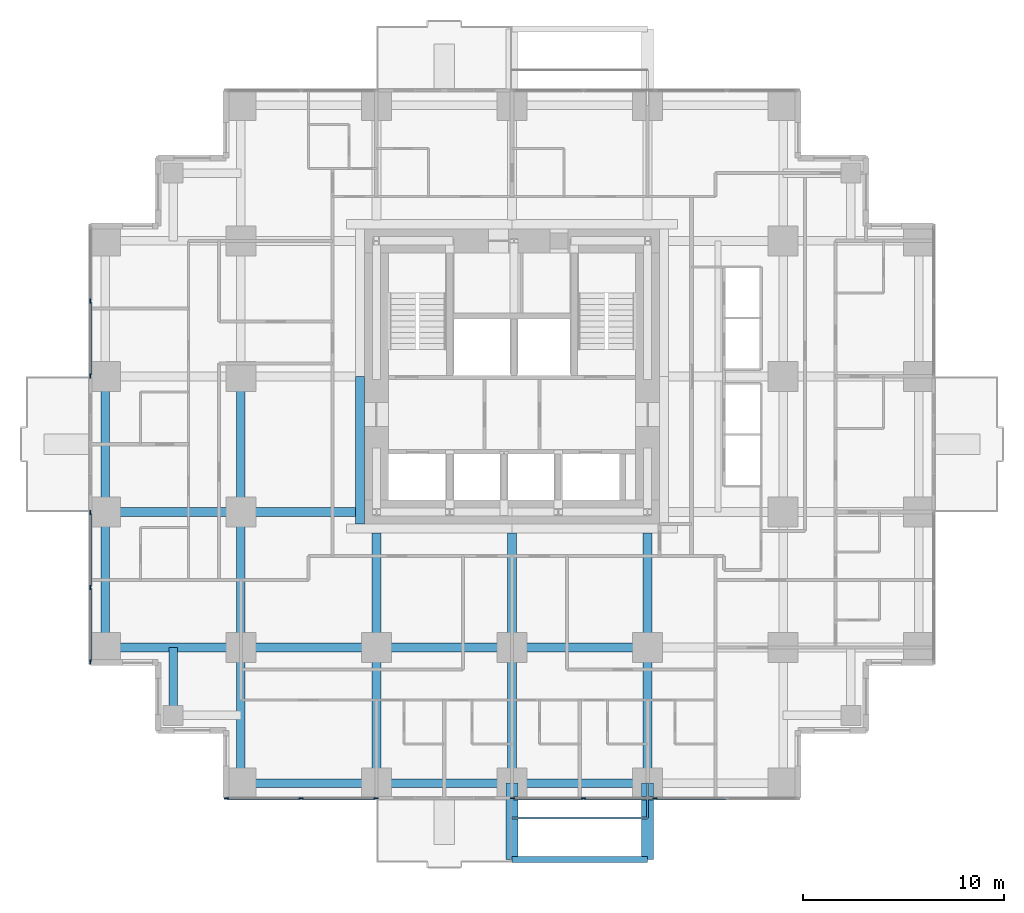
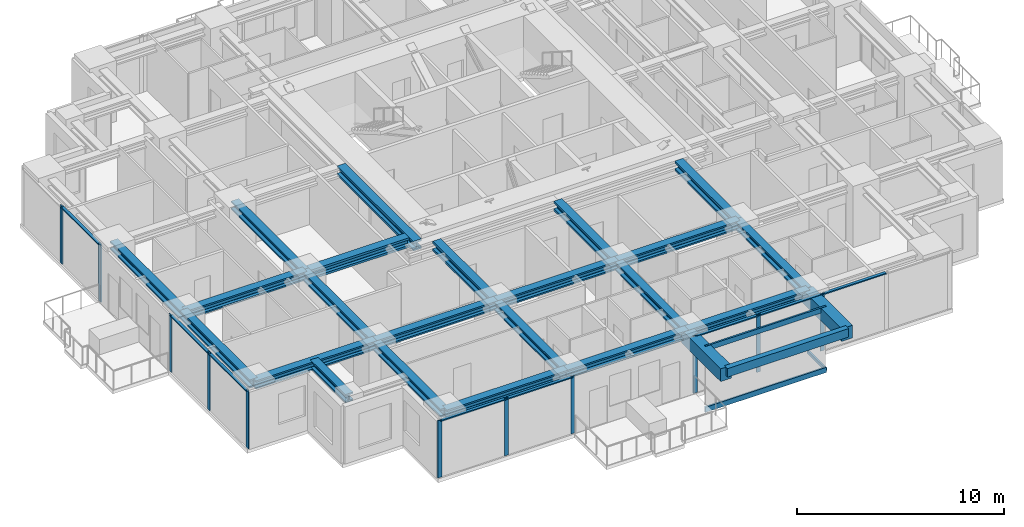
# One storey, part 2 of 13: 25 beams, 22 members, 4 elements without a shape of their own.
"""IFC4 building model written with IfcOpenShell, lengths in metres."""

from ifc_helpers import new_model, si_unit, direction, frame, origin, origin_2d, place, context, subcontext, project, spatial, rectangle, hollow_rectangle, i_section, extrude, material, material_profile, profile_set, type_object, element, aggregate, save


model = new_model("IFC4")

# Units and contexts
model_context = context("Model", 3, precision=1e-05, world=origin(), true_north=direction((0.0, 1.0)))
body_context = subcontext(model_context, "Body", "Model", "MODEL_VIEW")
ifc_project = project(units=[si_unit("LENGTHUNIT", "METRE"), si_unit("AREAUNIT", "SQUARE_METRE"), si_unit("VOLUMEUNIT", "CUBIC_METRE"), si_unit("PLANEANGLEUNIT", "RADIAN"), si_unit("MASSUNIT", "GRAM", prefix="KILO")], contexts=[model_context])

# Site, building, storey
site_placement = place(None, origin())
site = spatial("IfcSite", under=ifc_project, at=site_placement, CompositionType="ELEMENT")
building_placement = place(site_placement, origin())
building = spatial("IfcBuilding", under=site, at=building_placement, Name="Nyansa Garden Tower", CompositionType="ELEMENT")
storey_placement = place(building_placement, frame((0.0, 0.0, 123.300048828125)))
storey = spatial("IfcBuildingStorey", under=building, at=storey_placement, Name="L33", CompositionType="ELEMENT", Elevation=123.300048828125)

# Beams
ifc_material_1 = material(Name="Concrete C70/85", Category="concrete")
ifc_material_profile_1 = material_profile(ifc_material_1, rectangle(XDim=0.60009765625, YDim=0.75, at=origin_2d()), Name="RC 600x750")
ifc_profile_set_1 = profile_set([ifc_material_profile_1], Name="Concrete C70/85")
beam_type_1 = type_object("IfcBeamType", Name="Balcony cantilever beam CB1 RC 600x750", PredefinedType="BEAM", material=ifc_profile_set_1)
for number, where, z_axis, x_axis, name in (
    (1, (20.25, 0.0, 2.98486328125), (0.0, -1.0, 0.0), (1.0, 0.0, 0.0), "Balcony cantilever beam L34"),
    (2, (27.0, 0.0, 2.98486328125), (0.0, -1.0, 0.0), (1.0, 0.0, 0.0), "Balcony cantilever beam L34"),
):
    element("IfcBeam", number, at=place(storey_placement, frame(where, z_axis=z_axis, x_axis=x_axis)), inside=storey, type_object=beam_type_1, Name=name, PredefinedType="BEAM", context=body_context, shape_type="SweptSolid", body=[
        extrude(rectangle(XDim=0.60009765625, YDim=0.75, at=origin_2d()), origin(), (0.0, 0.0, 1.0), 3.800048828125),
    ])
ifc_material_2 = material(Name="Concrete C70/85", Category="concrete")
ifc_material_profile_2 = material_profile(ifc_material_2, rectangle(XDim=0.300048828125, YDim=0.5, at=origin_2d()), Name="RC 300x500")
ifc_profile_set_2 = profile_set([ifc_material_profile_2], Name="Concrete C70/85")
beam_type_2 = type_object("IfcBeamType", Name="Balcony edge beam BE1 RC 300x500", PredefinedType="BEAM", material=ifc_profile_set_2)
beam_1_placement = place(storey_placement, frame((20.25, -3.800048828125, 3.10986328125), z_axis=(1.0, 0.0, 0.0), x_axis=(0.0, 1.0, 0.0)))
element("IfcBeam", 3, at=beam_1_placement, inside=storey, type_object=beam_type_2, Name="Balcony edge beam L34", PredefinedType="BEAM", context=body_context, shape_type="SweptSolid", body=[
    extrude(rectangle(XDim=0.300048828125, YDim=0.5, at=origin_2d()), origin(), (0.0, 0.0, 1.0), 6.75),
])

# Curtain wall, members
ifc_material_3 = material(Name="Black anodised aluminium, dark tinted double glazing", Category="aluminium")
curtain_wall_type = type_object("IfcCurtainWallType", Name="Inner skin curtain wall ISW-B", PredefinedType="USERDEFINED", material=ifc_material_3)
curtain_wall_1_placement = place(storey_placement, origin())
curtain_wall_1 = element("IfcCurtainWall", 4, at=curtain_wall_1_placement, inside=storey, type_object=curtain_wall_type, Name="Inner skin curtain wall L33 W", ObjectType="UNITISED CURTAIN WALL", PredefinedType="USERDEFINED")
ifc_material_4 = material(Name="Black anodised aluminium", Category="aluminium")
ifc_material_profile_3 = material_profile(ifc_material_4, rectangle(XDim=0.06494140625, YDim=0.22509765625, at=origin_2d()), Name="Mullion 225x65")
ifc_profile_set_3 = profile_set([ifc_material_profile_3], Name="Black anodised aluminium")
member_type_1 = type_object("IfcMemberType", Name="Mullion ISW-B 225x65", PredefinedType="MULLION", material=ifc_profile_set_3)
member_1_placement = place(storey_placement, frame((-0.75, 13.467529296875, 0.0), z_axis=(0.0, 0.0, 1.0), x_axis=(1.0, 0.0, 0.0)))
member_1 = element("IfcMember", 5, at=member_1_placement, type_object=member_type_1, Name="ISW-B mullion 1", PredefinedType="MULLION", context=body_context, shape_type="SweptSolid", body=[
    extrude(rectangle(XDim=0.06494140625, YDim=0.22509765625, at=origin_2d()), origin(), (0.0, 0.0, 1.0), 3.375),
])
member_2_placement = place(storey_placement, frame((-0.75, 9.75, 0.0), z_axis=(0.0, 0.0, 1.0), x_axis=(1.0, 0.0, 0.0)))
member_2 = element("IfcMember", 6, at=member_2_placement, type_object=member_type_1, Name="ISW-B mullion 2", PredefinedType="MULLION", context=body_context, shape_type="SweptSolid", body=[
    extrude(rectangle(XDim=0.06494140625, YDim=0.22509765625, at=origin_2d()), origin(), (0.0, 0.0, 1.0), 3.375),
])
member_3_placement = place(storey_placement, frame((-0.75, 6.032470703125, 0.0), z_axis=(0.0, 0.0, 1.0), x_axis=(1.0, 0.0, 0.0)))
member_3 = element("IfcMember", 7, at=member_3_placement, type_object=member_type_1, Name="ISW-B mullion 3", PredefinedType="MULLION", context=body_context, shape_type="SweptSolid", body=[
    extrude(rectangle(XDim=0.06494140625, YDim=0.22509765625, at=origin_2d()), origin(), (0.0, 0.0, 1.0), 3.375),
])

curtain_wall_2_placement = place(storey_placement, origin())
curtain_wall_2 = element("IfcCurtainWall", 8, at=curtain_wall_2_placement, inside=storey, type_object=curtain_wall_type, Name="Inner skin curtain wall L33 W", ObjectType="UNITISED CURTAIN WALL", PredefinedType="USERDEFINED")
member_4_placement = place(storey_placement, frame((-0.75, 24.0, 0.0), z_axis=(0.0, 0.0, 1.0), x_axis=(1.0, 0.0, 0.0)))
member_4 = element("IfcMember", 9, at=member_4_placement, type_object=member_type_1, Name="ISW-B mullion 2", PredefinedType="MULLION", context=body_context, shape_type="SweptSolid", body=[
    extrude(rectangle(XDim=0.06494140625, YDim=0.22509765625, at=origin_2d()), origin(), (0.0, 0.0, 1.0), 3.375),
])
member_5_placement = place(storey_placement, frame((-0.75, 20.282470703125, 0.0), z_axis=(0.0, 0.0, 1.0), x_axis=(1.0, 0.0, 0.0)))
member_5 = element("IfcMember", 10, at=member_5_placement, type_object=member_type_1, Name="ISW-B mullion 3", PredefinedType="MULLION", context=body_context, shape_type="SweptSolid", body=[
    extrude(rectangle(XDim=0.06494140625, YDim=0.22509765625, at=origin_2d()), origin(), (0.0, 0.0, 1.0), 3.375),
])

curtain_wall_3_placement = place(storey_placement, origin())
curtain_wall_3 = element("IfcCurtainWall", 11, at=curtain_wall_3_placement, inside=storey, type_object=curtain_wall_type, Name="Inner skin curtain wall L33 S", ObjectType="UNITISED CURTAIN WALL", PredefinedType="USERDEFINED")
member_6_placement = place(storey_placement, frame((6.032470703125, -0.75, 0.0), z_axis=(0.0, 0.0, 1.0), x_axis=(0.0, 1.0, 0.0)))
member_6 = element("IfcMember", 12, at=member_6_placement, type_object=member_type_1, Name="ISW-B mullion 1", PredefinedType="MULLION", context=body_context, shape_type="SweptSolid", body=[
    extrude(rectangle(XDim=0.06494140625, YDim=0.22509765625, at=origin_2d()), origin(), (0.0, 0.0, 1.0), 3.375),
])
member_7_placement = place(storey_placement, frame((9.75, -0.75, 0.0), z_axis=(0.0, 0.0, 1.0), x_axis=(0.0, 1.0, 0.0)))
member_7 = element("IfcMember", 13, at=member_7_placement, type_object=member_type_1, Name="ISW-B mullion 2", PredefinedType="MULLION", context=body_context, shape_type="SweptSolid", body=[
    extrude(rectangle(XDim=0.06494140625, YDim=0.22509765625, at=origin_2d()), origin(), (0.0, 0.0, 1.0), 3.375),
])
member_8_placement = place(storey_placement, frame((13.467529296875, -0.75, 0.0), z_axis=(0.0, 0.0, 1.0), x_axis=(0.0, 1.0, 0.0)))
member_8 = element("IfcMember", 14, at=member_8_placement, type_object=member_type_1, Name="ISW-B mullion 3", PredefinedType="MULLION", context=body_context, shape_type="SweptSolid", body=[
    extrude(rectangle(XDim=0.06494140625, YDim=0.22509765625, at=origin_2d()), origin(), (0.0, 0.0, 1.0), 3.375),
])

curtain_wall_4_placement = place(storey_placement, origin())
curtain_wall_4 = element("IfcCurtainWall", 15, at=curtain_wall_4_placement, inside=storey, type_object=curtain_wall_type, Name="Inner skin curtain wall L33 S", ObjectType="UNITISED CURTAIN WALL", PredefinedType="USERDEFINED")
member_9_placement = place(storey_placement, frame((20.282470703125, -0.75, 0.0), z_axis=(0.0, 0.0, 1.0), x_axis=(0.0, 1.0, 0.0)))
member_9 = element("IfcMember", 16, at=member_9_placement, type_object=member_type_1, Name="ISW-B mullion 1", PredefinedType="MULLION", context=body_context, shape_type="SweptSolid", body=[
    extrude(rectangle(XDim=0.06494140625, YDim=0.22509765625, at=origin_2d()), origin(), (0.0, 0.0, 1.0), 3.375),
])
member_10_placement = place(storey_placement, frame((23.8125, -0.75, 0.0), z_axis=(0.0, 0.0, 1.0), x_axis=(0.0, 1.0, 0.0)))
member_10 = element("IfcMember", 17, at=member_10_placement, type_object=member_type_1, Name="ISW-B mullion 2", PredefinedType="MULLION", context=body_context, shape_type="SweptSolid", body=[
    extrude(rectangle(XDim=0.06494140625, YDim=0.22509765625, at=origin_2d()), origin(), (0.0, 0.0, 1.0), 3.375),
])
member_11_placement = place(storey_placement, frame((27.375, -0.75, 0.0), z_axis=(0.0, 0.0, 1.0), x_axis=(0.0, 1.0, 0.0)))
member_11 = element("IfcMember", 18, at=member_11_placement, type_object=member_type_1, Name="ISW-B mullion 3", PredefinedType="MULLION", context=body_context, shape_type="SweptSolid", body=[
    extrude(rectangle(XDim=0.06494140625, YDim=0.22509765625, at=origin_2d()), origin(), (0.0, 0.0, 1.0), 3.375),
])

# Members
ifc_material_5 = material(Name="Steel S355, black powder coated", Category="steel")
ifc_material_profile_4 = material_profile(ifc_material_5, hollow_rectangle(XDim=0.10009765625, YDim=0.199951171875, WallThickness=0.008056640625, at=origin_2d()), Name="RHS 200x100x8")
ifc_profile_set_4 = profile_set([ifc_material_profile_4], Name="Steel S355, black powder coated")
member_type_2 = type_object("IfcMemberType", Name="Outer skin bracket arm RHS 200x100x8", PredefinedType="USERDEFINED", material=ifc_profile_set_4)
member_12_placement = place(storey_placement, frame((27.0, 0.0, -0.375), z_axis=(0.0, -1.0, 0.0), x_axis=(1.0, 0.0, 0.0)))
element("IfcMember", 19, at=member_12_placement, inside=storey, type_object=member_type_2, Name="Outer skin bracket arm", ObjectType="OUTER SKIN BRACKET", PredefinedType="USERDEFINED", context=body_context, shape_type="SweptSolid", body=[
    extrude(hollow_rectangle(XDim=0.10009765625, YDim=0.199951171875, WallThickness=0.008056640625, at=origin_2d()), origin(), (0.0, 0.0, 1.0), 1.75),
])
ifc_material_6 = material(Name="Steel S355, black powder coated", Category="steel")
ifc_material_profile_5 = material_profile(ifc_material_6, hollow_rectangle(XDim=0.10009765625, YDim=0.300048828125, WallThickness=0.010009765625, at=origin_2d()), Name="RHS 300x100x10")
ifc_profile_set_5 = profile_set([ifc_material_profile_5], Name="Steel S355, black powder coated")
member_type_3 = type_object("IfcMemberType", Name="Outer skin rail RHS 300x100x10", PredefinedType="USERDEFINED", material=ifc_profile_set_5)
for number, where, z_axis, x_axis, name in (
    (20, (20.25, -1.75, -0.375), (1.0, 0.0, 0.0), (0.0, 1.0, 0.0), "Outer skin rail L33"),
    (21, (20.25, -1.75, 3.224853515625), (1.0, 0.0, 0.0), (0.0, 1.0, 0.0), "Outer skin rail L33 head"),
):
    element("IfcMember", number, at=place(storey_placement, frame(where, z_axis=z_axis, x_axis=x_axis)), inside=storey, type_object=member_type_3, Name=name, ObjectType="OUTER SKIN RAIL", PredefinedType="USERDEFINED", context=body_context, shape_type="SweptSolid", body=[
        extrude(hollow_rectangle(XDim=0.10009765625, YDim=0.300048828125, WallThickness=0.010009765625, at=origin_2d()), origin(), (0.0, 0.0, 1.0), 6.75),
    ])

# Beams
ifc_material_7 = material(Name="Steel S355", Category="steel")
ifc_material_profile_6 = material_profile(ifc_material_7, i_section(OverallWidth=0.431884765625, OverallDepth=0.498046875, WebThickness=0.0556640625, FlangeThickness=0.0888671875, FilletRadius=0.014892578125, at=origin_2d()), Name="HD 400x744")
ifc_profile_set_6 = profile_set([ifc_material_profile_6], Name="Steel S355")
beam_type_3 = type_object("IfcBeamType", Name="Steel beam SBB1-744 HD 400x744", PredefinedType="BEAM", material=ifc_profile_set_6)
for number, where, z_axis, x_axis, name in (
    (22, (0.0, 6.75, 3.1259765625), (1.0, 0.0, 0.0), (0.0, 1.0, 0.0), "Steel beam 2/E-3/E L34"),
    (23, (0.0, 13.5, 3.1259765625), (1.0, 0.0, 0.0), (0.0, 1.0, 0.0), "Steel beam 2/F-3/F L34"),
    (24, (6.75, 0.0, 3.1259765625), (0.0, 1.0, 0.0), (-1.0, 0.0, 0.0), "Steel beam 3/D-3/E L34"),
    (25, (6.75, 6.75, 3.1259765625), (0.0, 1.0, 0.0), (-1.0, 0.0, 0.0), "Steel beam 3/E-3/F L34"),
    (26, (6.75, 6.75, 3.1259765625), (1.0, 0.0, 0.0), (0.0, 1.0, 0.0), "Steel beam 3/E-4/E L34"),
    (27, (6.75, 13.5, 3.1259765625), (0.0, 1.0, 0.0), (-1.0, 0.0, 0.0), "Steel beam 3/F-3/G L34"),
    (28, (13.5, 0.0, 3.1259765625), (0.0, 1.0, 0.0), (-1.0, 0.0, 0.0), "Steel beam 4/D-4/E L34"),
    (29, (13.5, 6.75, 3.1259765625), (1.0, 0.0, 0.0), (0.0, 1.0, 0.0), "Steel beam 4/E-5/E L34"),
    (30, (20.25, 0.0, 3.1259765625), (0.0, 1.0, 0.0), (-1.0, 0.0, 0.0), "Steel beam 5/D-5/E L34"),
    (31, (20.25, 6.75, 3.1259765625), (1.0, 0.0, 0.0), (0.0, 1.0, 0.0), "Steel beam 5/E-6/E L34"),
    (32, (27.0, 0.0, 3.1259765625), (0.0, 1.0, 0.0), (-1.0, 0.0, 0.0), "Steel beam 6/D-6/E L34"),
):
    element("IfcBeam", number, at=place(storey_placement, frame(where, z_axis=z_axis, x_axis=x_axis)), inside=storey, type_object=beam_type_3, Name=name, PredefinedType="BEAM", context=body_context, shape_type="SweptSolid", body=[
        extrude(i_section(OverallWidth=0.431884765625, OverallDepth=0.498046875, WebThickness=0.0556640625, FlangeThickness=0.0888671875, FilletRadius=0.014892578125, at=origin_2d()), origin(), (0.0, 0.0, 1.0), 6.75),
    ])
ifc_material_8 = material(Name="Steel S355", Category="steel")
ifc_material_profile_7 = material_profile(ifc_material_8, i_section(OverallWidth=0.4541015625, OverallDepth=0.569091796875, WebThickness=0.077880859375, FlangeThickness=0.125, FilletRadius=0.014892578125, at=origin_2d()), Name="HD 400x1086")
ifc_profile_set_7 = profile_set([ifc_material_profile_7], Name="Steel S355")
beam_type_4 = type_object("IfcBeamType", Name="Steel beam SCL-1086 HD 400x1086", PredefinedType="BEAM", material=ifc_profile_set_7)
for number, where, z_axis, x_axis, name in (
    (33, (6.75, 13.5, 3.09033203125), (1.0, 0.0, 0.0), (0.0, 1.0, 0.0), "Steel beam 3/F-12.450/F L34"),
    (34, (13.5, 6.75, 3.09033203125), (0.0, 1.0, 0.0), (-1.0, 0.0, 0.0), "Steel beam 4/E-4/12.450 L34"),
    (35, (20.25, 6.75, 3.09033203125), (0.0, 1.0, 0.0), (-1.0, 0.0, 0.0), "Steel beam 5/E-5/12.450 L34"),
    (36, (27.0, 6.75, 3.09033203125), (0.0, 1.0, 0.0), (-1.0, 0.0, 0.0), "Steel beam 6/E-6/12.450 L34"),
):
    element("IfcBeam", number, at=place(storey_placement, frame(where, z_axis=z_axis, x_axis=x_axis)), inside=storey, type_object=beam_type_4, Name=name, PredefinedType="BEAM", context=body_context, shape_type="SweptSolid", body=[
        extrude(i_section(OverallWidth=0.4541015625, OverallDepth=0.569091796875, WebThickness=0.077880859375, FlangeThickness=0.125, FilletRadius=0.014892578125, at=origin_2d()), origin(), (0.0, 0.0, 1.0), 5.699951171875),
    ])
beam_2_placement = place(storey_placement, frame((12.673095703125, 20.25, 3.09033203125), z_axis=(0.0, -1.0, 0.0), x_axis=(1.0, 0.0, 0.0)))
element("IfcBeam", 37, at=beam_2_placement, inside=storey, type_object=beam_type_4, Name="Steel core ledger beam W.2 L34", PredefinedType="BEAM", context=body_context, shape_type="SweptSolid", body=[
    extrude(i_section(OverallWidth=0.4541015625, OverallDepth=0.569091796875, WebThickness=0.077880859375, FlangeThickness=0.125, FilletRadius=0.014892578125, at=origin_2d()), origin(), (0.0, 0.0, 1.0), 7.35009765625),
])
ifc_material_9 = material(Name="Steel S355", Category="steel")
ifc_material_profile_8 = material_profile(ifc_material_9, i_section(OverallWidth=0.431884765625, OverallDepth=0.498046875, WebThickness=0.0556640625, FlangeThickness=0.0888671875, FilletRadius=0.014892578125, at=origin_2d()), Name="HD 400x744")
ifc_profile_set_8 = profile_set([ifc_material_profile_8], Name="Steel S355")
beam_type_5 = type_object("IfcBeamType", Name="Steel beam SEBB-744 HD 400x744", PredefinedType="BEAM", material=ifc_profile_set_8)
for number, where, z_axis, x_axis, name in (
    (38, (0.0, 6.75, 3.1259765625), (0.0, 1.0, 0.0), (-1.0, 0.0, 0.0), "Steel edge beam 2/E-2/F L34"),
    (39, (0.0, 13.5, 3.1259765625), (0.0, 1.0, 0.0), (-1.0, 0.0, 0.0), "Steel edge beam 2/F-2/G L34"),
    (40, (6.75, 0.0, 3.1259765625), (1.0, 0.0, 0.0), (0.0, 1.0, 0.0), "Steel edge beam 3/D-4/D L34"),
    (41, (13.5, 0.0, 3.1259765625), (1.0, 0.0, 0.0), (0.0, 1.0, 0.0), "Steel edge beam 4/D-5/D L34"),
    (42, (20.25, 0.0, 3.1259765625), (1.0, 0.0, 0.0), (0.0, 1.0, 0.0), "Steel edge beam 5/D-6/D L34"),
):
    element("IfcBeam", number, at=place(storey_placement, frame(where, z_axis=z_axis, x_axis=x_axis)), inside=storey, type_object=beam_type_5, Name=name, PredefinedType="BEAM", context=body_context, shape_type="SweptSolid", body=[
        extrude(i_section(OverallWidth=0.431884765625, OverallDepth=0.498046875, WebThickness=0.0556640625, FlangeThickness=0.0888671875, FilletRadius=0.014892578125, at=origin_2d()), origin(), (0.0, 0.0, 1.0), 6.75),
    ])
ifc_material_10 = material(Name="Steel S355", Category="steel")
ifc_material_profile_9 = material_profile(ifc_material_10, i_section(OverallWidth=0.431884765625, OverallDepth=0.498046875, WebThickness=0.0556640625, FlangeThickness=0.0888671875, FilletRadius=0.014892578125, at=origin_2d()), Name="HD 400x744")
ifc_profile_set_9 = profile_set([ifc_material_profile_9], Name="Steel S355")
beam_type_6 = type_object("IfcBeamType", Name="Steel beam SSB1-744 HD 400x744", PredefinedType="BEAM", material=ifc_profile_set_9)
beam_3_placement = place(storey_placement, frame((3.375, 3.375, 3.1259765625), z_axis=(0.0, 1.0, 0.0), x_axis=(-1.0, 0.0, 0.0)))
element("IfcBeam", 43, at=beam_3_placement, inside=storey, type_object=beam_type_6, Name="Steel step beam 3.375/3.375 L34", PredefinedType="BEAM", context=body_context, shape_type="SweptSolid", body=[
    extrude(i_section(OverallWidth=0.431884765625, OverallDepth=0.498046875, WebThickness=0.0556640625, FlangeThickness=0.0888671875, FilletRadius=0.014892578125, at=origin_2d()), origin(), (0.0, 0.0, 1.0), 3.375),
])

# Member
ifc_material_11 = material(Name="Black anodised aluminium", Category="aluminium")
ifc_material_profile_10 = material_profile(ifc_material_11, rectangle(XDim=0.1650390625, YDim=0.06494140625, at=origin_2d()), Name="Transom 165x65")
ifc_profile_set_10 = profile_set([ifc_material_profile_10], Name="Black anodised aluminium")
member_type_4 = type_object("IfcMemberType", Name="Transom ISW-B 165x65", PredefinedType="USERDEFINED", material=ifc_profile_set_10)
member_13_placement = place(storey_placement, frame((-0.75, 13.43505859375, 3.342529296875), z_axis=(0.0, -1.0, 0.0), x_axis=(1.0, 0.0, 0.0)))
member_13 = element("IfcMember", 44, at=member_13_placement, type_object=member_type_4, Name="ISW-B transom 1", ObjectType="TRANSOM", PredefinedType="USERDEFINED", context=body_context, shape_type="SweptSolid", body=[
    extrude(rectangle(XDim=0.1650390625, YDim=0.06494140625, at=origin_2d()), origin(), (0.0, 0.0, 1.0), 3.652587890625),
])

member_14_placement = place(storey_placement, frame((-0.75, 9.717529296875, 3.342529296875), z_axis=(0.0, -1.0, 0.0), x_axis=(1.0, 0.0, 0.0)))
member_14 = element("IfcMember", 45, at=member_14_placement, type_object=member_type_4, Name="ISW-B transom 2", ObjectType="TRANSOM", PredefinedType="USERDEFINED", context=body_context, shape_type="SweptSolid", body=[
    extrude(rectangle(XDim=0.1650390625, YDim=0.06494140625, at=origin_2d()), origin(), (0.0, 0.0, 1.0), 3.652587890625),
])

aggregate(curtain_wall_1, [member_1, member_2, member_3, member_13, member_14])

member_15_placement = place(storey_placement, frame((-0.75, 23.967529296875, 3.342529296875), z_axis=(0.0, -1.0, 0.0), x_axis=(1.0, 0.0, 0.0)))
member_15 = element("IfcMember", 46, at=member_15_placement, type_object=member_type_4, Name="ISW-B transom 2", ObjectType="TRANSOM", PredefinedType="USERDEFINED", context=body_context, shape_type="SweptSolid", body=[
    extrude(rectangle(XDim=0.1650390625, YDim=0.06494140625, at=origin_2d()), origin(), (0.0, 0.0, 1.0), 3.652587890625),
])

aggregate(curtain_wall_2, [member_4, member_5, member_15])

member_16_placement = place(storey_placement, frame((6.06494140625, -0.75, 3.342529296875), z_axis=(1.0, 0.0, 0.0), x_axis=(0.0, 1.0, 0.0)))
member_16 = element("IfcMember", 47, at=member_16_placement, type_object=member_type_4, Name="ISW-B transom 1", ObjectType="TRANSOM", PredefinedType="USERDEFINED", context=body_context, shape_type="SweptSolid", body=[
    extrude(rectangle(XDim=0.1650390625, YDim=0.06494140625, at=origin_2d()), origin(), (0.0, 0.0, 1.0), 3.652587890625),
])

member_17_placement = place(storey_placement, frame((9.782470703125, -0.75, 3.342529296875), z_axis=(1.0, 0.0, 0.0), x_axis=(0.0, 1.0, 0.0)))
member_17 = element("IfcMember", 48, at=member_17_placement, type_object=member_type_4, Name="ISW-B transom 2", ObjectType="TRANSOM", PredefinedType="USERDEFINED", context=body_context, shape_type="SweptSolid", body=[
    extrude(rectangle(XDim=0.1650390625, YDim=0.06494140625, at=origin_2d()), origin(), (0.0, 0.0, 1.0), 3.652587890625),
])

aggregate(curtain_wall_3, [member_6, member_7, member_8, member_16, member_17])

member_18_placement = place(storey_placement, frame((20.31494140625, -0.75, 3.342529296875), z_axis=(1.0, 0.0, 0.0), x_axis=(0.0, 1.0, 0.0)))
member_18 = element("IfcMember", 49, at=member_18_placement, type_object=member_type_4, Name="ISW-B transom 1", ObjectType="TRANSOM", PredefinedType="USERDEFINED", context=body_context, shape_type="SweptSolid", body=[
    extrude(rectangle(XDim=0.1650390625, YDim=0.06494140625, at=origin_2d()), origin(), (0.0, 0.0, 1.0), 3.465087890625),
])

member_19_placement = place(storey_placement, frame((23.844970703125, -0.75, 3.342529296875), z_axis=(1.0, 0.0, 0.0), x_axis=(0.0, 1.0, 0.0)))
member_19 = element("IfcMember", 50, at=member_19_placement, type_object=member_type_4, Name="ISW-B transom 2", ObjectType="TRANSOM", PredefinedType="USERDEFINED", context=body_context, shape_type="SweptSolid", body=[
    extrude(rectangle(XDim=0.1650390625, YDim=0.06494140625, at=origin_2d()), origin(), (0.0, 0.0, 1.0), 3.49755859375),
])

member_20_placement = place(storey_placement, frame((27.407470703125, -0.75, 3.342529296875), z_axis=(1.0, 0.0, 0.0), x_axis=(0.0, 1.0, 0.0)))
member_20 = element("IfcMember", 51, at=member_20_placement, type_object=member_type_4, Name="ISW-B transom 3", ObjectType="TRANSOM", PredefinedType="USERDEFINED", context=body_context, shape_type="SweptSolid", body=[
    extrude(rectangle(XDim=0.1650390625, YDim=0.06494140625, at=origin_2d()), origin(), (0.0, 0.0, 1.0), 3.49755859375),
])

aggregate(curtain_wall_4, [member_9, member_10, member_11, member_18, member_19, member_20])

save(model, "model.ifc")
